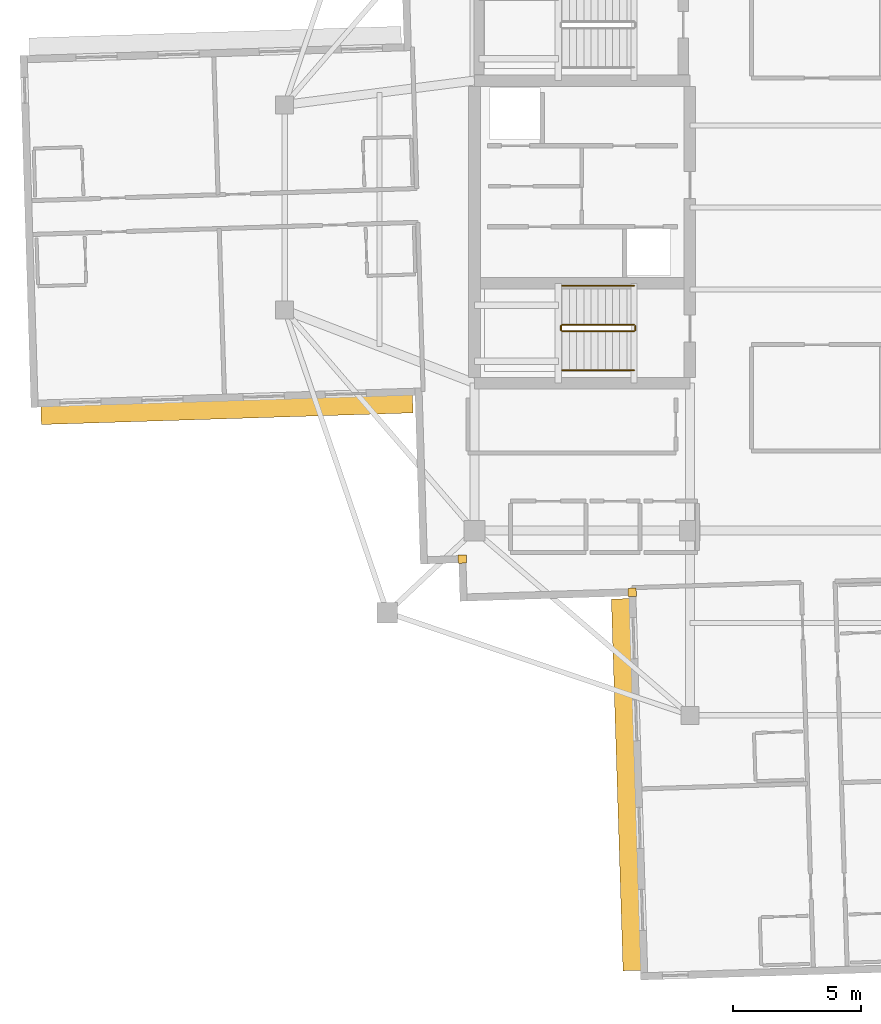
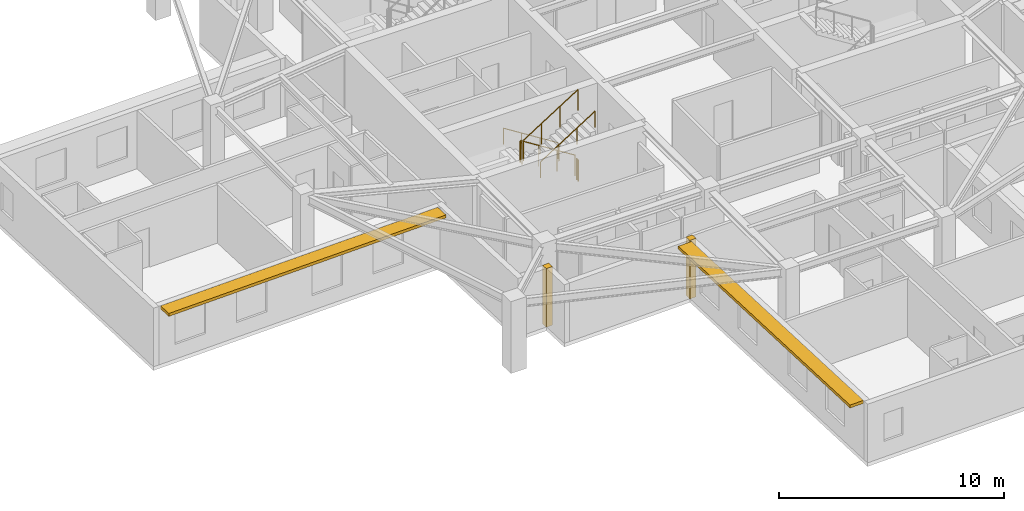
# One storey, part 10 of 13: 6 railings, 2 coverings, 2 shading devices.
"""IFC4 building model written with IfcOpenShell, lengths in metres."""

from ifc_helpers import new_model, si_unit, direction, frame, origin, origin_2d, place, context, subcontext, project, spatial, rectangle, circle, extrude, material, layer, layer_set, type_object, element, save


model = new_model("IFC4")

# Units and contexts
model_context = context("Model", 3, precision=1e-05, world=origin(), true_north=direction((0.0, 1.0)))
body_context = subcontext(model_context, "Body", "Model", "MODEL_VIEW")
ifc_project = project(units=[si_unit("LENGTHUNIT", "METRE"), si_unit("AREAUNIT", "SQUARE_METRE"), si_unit("VOLUMEUNIT", "CUBIC_METRE"), si_unit("PLANEANGLEUNIT", "RADIAN"), si_unit("MASSUNIT", "GRAM", prefix="KILO")], contexts=[model_context])

# Site, building, storey
site_placement = place(None, origin())
site = spatial("IfcSite", under=ifc_project, at=site_placement, CompositionType="ELEMENT")
building_placement = place(site_placement, origin())
building = spatial("IfcBuilding", under=site, at=building_placement, Name="Qingluan Cross Belvedere", CompositionType="ELEMENT")
storey_placement = place(building_placement, frame((0.0, 0.0, 273.300048828125)))
storey = spatial("IfcBuildingStorey", under=building, at=storey_placement, Name="L68", CompositionType="ELEMENT", Elevation=273.300048828125)

# Coverings
ifc_material_1 = material(Name="Precast concrete C45", Category="concrete")
ifc_layer_1 = layer(ifc_material_1, 0.1201171875, Name="ConcreteSpandrelCladding_120")
ifc_layer_set_1 = layer_set([ifc_layer_1], Name="Precast concrete C45")
covering_type = type_object("IfcCoveringType", Name="ConcreteSpandrelCladding_120", PredefinedType="CLADDING", material=ifc_layer_set_1)
for number, where, z_axis, x_axis, name in (
    (1, (-12.875732421875, -13.711181640625, 0.0), (0.0, 0.0, 1.0), (0.999506560366, 0.031410759078, 0.0), "Corner closure L68-SW1"),
    (2, (-6.251708984375, -15.00390625, 0.0), (0.0, 0.0, 1.0), (0.999506560366, 0.031410759078, 0.0), "Corner closure L68-SW2"),
):
    element("IfcCovering", number, at=place(storey_placement, frame(where, z_axis=z_axis, x_axis=x_axis)), inside=storey, type_object=covering_type, Name=name, PredefinedType="CLADDING", context=body_context, shape_type="SweptSolid", body=[
        extrude(rectangle(XDim=0.320068359375, YDim=0.320068359375, at=origin_2d()), origin(), (0.0, 0.0, 1.0), 3.179931640625),
    ])

# Shading devices
ifc_material_2 = material(Name="Precast concrete C45", Category="concrete")
ifc_layer_2 = layer(ifc_material_2, 0.139892578125, Name="ConcreteSunshadeBand_700")
ifc_layer_set_2 = layer_set([ifc_layer_2], Name="Precast concrete C45")
shading_device_type = type_object("IfcShadingDeviceType", Name="ConcreteSunshadeBand_700", PredefinedType="USERDEFINED", material=ifc_layer_set_2)
for number, where, z_axis, x_axis, name in (
    (3, (-22.052978515625, -7.88671875, 3.0), (0.0, 0.0, 1.0), (0.999506645453, 0.031408051437, 0.0), "Concrete SUNSHADE L68-WB"),
    (4, (-6.486328125, -22.5048828125, 3.0), (0.0, 0.0, 1.0), (0.031408051437, -0.999506645453, 0.0), "Concrete SUNSHADE L68-SA"),
):
    element("IfcShadingDevice", number, at=place(storey_placement, frame(where, z_axis=z_axis, x_axis=x_axis)), inside=storey, type_object=shading_device_type, Name=name, ObjectType="SUNSHADE", PredefinedType="USERDEFINED", context=body_context, shape_type="SweptSolid", body=[
        extrude(rectangle(XDim=14.5, YDim=0.699951171875, at=origin_2d()), origin(), (0.0, 0.0, 1.0), 0.159912109375),
    ])

# Railings
ifc_material_3 = material(Name="Brushed stainless steel tubular handrail", Category="steel")
railing_type_1 = type_object("IfcRailingType", Name="StairPitchHandrail_900", PredefinedType="HANDRAIL", material=ifc_material_3)
railing_1_placement = place(storey_placement, frame((-6.179931640625, -3.050048828125, 0.17724609375)))
element("IfcRailing", 5, at=railing_1_placement, inside=storey, type_object=railing_type_1, Name="L68 ST1 stair handrail 1", PredefinedType="HANDRAIL", context=body_context, shape_type="SweptSolid", body=[
    extrude(circle(Radius=0.02392578125, at=origin_2d()), frame((0.0, 0.0, 0.8759765625), z_axis=(-0.844908973607, 0.0, 0.534910110503), x_axis=(0.0, -1.0, 0.0)), (0.0, 0.0, 1.0), 3.31396484375),
    extrude(circle(Radius=0.02099609375, at=origin_2d()), origin(), (0.0, 0.0, 1.0), 0.851806640625),
    extrude(circle(Radius=0.02099609375, at=origin_2d()), frame((-0.933349609375, 0.0, 0.5908203125)), (0.0, 0.0, 1.0), 0.851806640625),
    extrude(circle(Radius=0.02099609375, at=origin_2d()), frame((-1.86669921875, 0.0, 1.181884765625)), (0.0, 0.0, 1.0), 0.851806640625),
    extrude(circle(Radius=0.02099609375, at=origin_2d()), frame((-2.800048828125, 0.0, 1.772705078125)), (0.0, 0.0, 1.0), 0.851806640625),
])
railing_2_placement = place(storey_placement, frame((-8.97998046875, -6.35009765625, 2.127197265625)))
element("IfcRailing", 6, at=railing_2_placement, inside=storey, type_object=railing_type_1, Name="L68 ST1 stair handrail 2", PredefinedType="HANDRAIL", context=body_context, shape_type="SweptSolid", body=[
    extrude(circle(Radius=0.02392578125, at=origin_2d()), frame((0.0, 0.0, 0.8759765625), z_axis=(0.844908973607, 0.0, 0.534910110503), x_axis=(0.0, 1.0, 0.0)), (0.0, 0.0, 1.0), 3.31396484375),
    extrude(circle(Radius=0.02099609375, at=origin_2d()), origin(), (0.0, 0.0, 1.0), 0.851806640625),
    extrude(circle(Radius=0.02099609375, at=origin_2d()), frame((0.933349609375, 0.0, 0.5908203125)), (0.0, 0.0, 1.0), 0.851806640625),
    extrude(circle(Radius=0.02099609375, at=origin_2d()), frame((1.86669921875, 0.0, 1.181884765625)), (0.0, 0.0, 1.0), 0.851806640625),
    extrude(circle(Radius=0.02099609375, at=origin_2d()), frame((2.800048828125, 0.0, 1.772705078125)), (0.0, 0.0, 1.0), 0.851806640625),
])
ifc_material_4 = material(Name="Painted steel stair well guard", Category="steel")
railing_type_2 = type_object("IfcRailingType", Name="StairWellGuard_1150", PredefinedType="BALUSTRADE", material=ifc_material_4)
railing_3_placement = place(storey_placement, frame((-6.179931640625, -4.570068359375, 0.17724609375)))
element("IfcRailing", 7, at=railing_3_placement, inside=storey, type_object=railing_type_2, Name="L68 ST1 stair guard 1", PredefinedType="BALUSTRADE", context=body_context, shape_type="SweptSolid", body=[
    extrude(circle(Radius=0.02392578125, at=origin_2d()), frame((0.0, 0.0, 1.1259765625), z_axis=(-0.844908973607, 0.0, 0.534910110503), x_axis=(0.0, -1.0, 0.0)), (0.0, 0.0, 1.0), 3.31396484375),
    extrude(circle(Radius=0.02099609375, at=origin_2d()), origin(), (0.0, 0.0, 1.0), 1.101806640625),
    extrude(circle(Radius=0.02099609375, at=origin_2d()), frame((-0.933349609375, 0.0, 0.5908203125)), (0.0, 0.0, 1.0), 1.101806640625),
    extrude(circle(Radius=0.02099609375, at=origin_2d()), frame((-1.86669921875, 0.0, 1.181884765625)), (0.0, 0.0, 1.0), 1.101806640625),
    extrude(circle(Radius=0.02099609375, at=origin_2d()), frame((-2.800048828125, 0.0, 1.772705078125)), (0.0, 0.0, 1.0), 1.101806640625),
])
railing_4_placement = place(storey_placement, frame((-9.030029296875, -4.6201171875, 1.949951171875)))
element("IfcRailing", 8, at=railing_4_placement, inside=storey, type_object=railing_type_2, Name="L68 ST1 stair guard 2", PredefinedType="BALUSTRADE", context=body_context, shape_type="SweptSolid", body=[
    extrude(circle(Radius=0.02392578125, at=origin_2d()), frame((0.0, 0.0, 1.1259765625), z_axis=(0.0, -1.0, 0.0), x_axis=(1.0, 0.0, 0.0)), (0.0, 0.0, 1.0), 0.159912109375),
    extrude(circle(Radius=0.02099609375, at=origin_2d()), origin(), (0.0, 0.0, 1.0), 1.101806640625),
    extrude(circle(Radius=0.02099609375, at=origin_2d()), frame((0.0, -0.159912109375, 0.0)), (0.0, 0.0, 1.0), 1.101806640625),
])
railing_5_placement = place(storey_placement, frame((-8.97998046875, -4.830078125, 2.127197265625)))
element("IfcRailing", 9, at=railing_5_placement, inside=storey, type_object=railing_type_2, Name="L68 ST1 stair guard 3", PredefinedType="BALUSTRADE", context=body_context, shape_type="SweptSolid", body=[
    extrude(circle(Radius=0.02392578125, at=origin_2d()), frame((0.0, 0.0, 1.1259765625), z_axis=(0.844908973607, 0.0, 0.534910110503), x_axis=(0.0, 1.0, 0.0)), (0.0, 0.0, 1.0), 3.31396484375),
    extrude(circle(Radius=0.02099609375, at=origin_2d()), origin(), (0.0, 0.0, 1.0), 1.101806640625),
    extrude(circle(Radius=0.02099609375, at=origin_2d()), frame((0.933349609375, 0.0, 0.5908203125)), (0.0, 0.0, 1.0), 1.101806640625),
    extrude(circle(Radius=0.02099609375, at=origin_2d()), frame((1.86669921875, 0.0, 1.181884765625)), (0.0, 0.0, 1.0), 1.101806640625),
    extrude(circle(Radius=0.02099609375, at=origin_2d()), frame((2.800048828125, 0.0, 1.772705078125)), (0.0, 0.0, 1.0), 1.101806640625),
])
railing_6_placement = place(storey_placement, frame((-6.1298828125, -4.6201171875, 0.0)))
element("IfcRailing", 10, at=railing_6_placement, inside=storey, type_object=railing_type_2, Name="L68 ST1 stair guard 4", PredefinedType="BALUSTRADE", context=body_context, shape_type="SweptSolid", body=[
    extrude(circle(Radius=0.02392578125, at=origin_2d()), frame((0.0, 0.0, 1.1259765625), z_axis=(0.0, -1.0, 0.0), x_axis=(1.0, 0.0, 0.0)), (0.0, 0.0, 1.0), 0.159912109375),
    extrude(circle(Radius=0.02099609375, at=origin_2d()), origin(), (0.0, 0.0, 1.0), 1.101806640625),
    extrude(circle(Radius=0.02099609375, at=origin_2d()), frame((0.0, -0.159912109375, 0.0)), (0.0, 0.0, 1.0), 1.101806640625),
])

save(model, "model.ifc")
